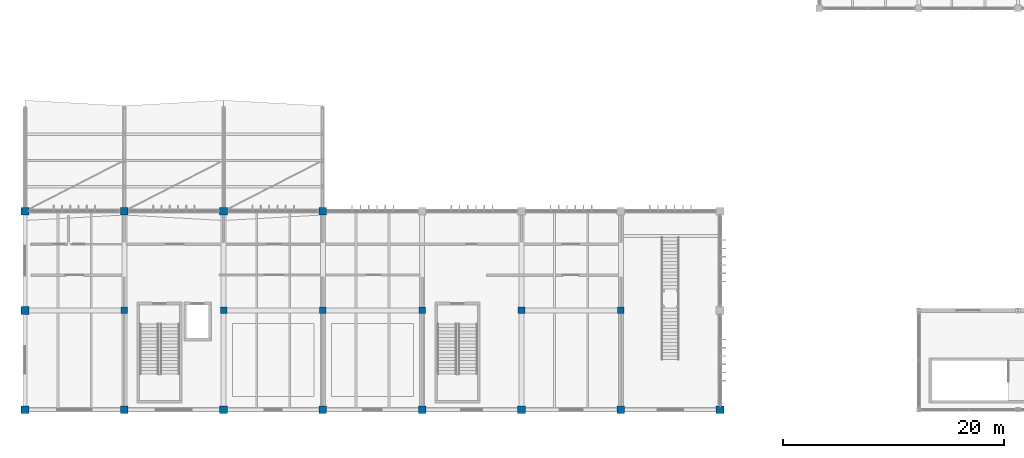
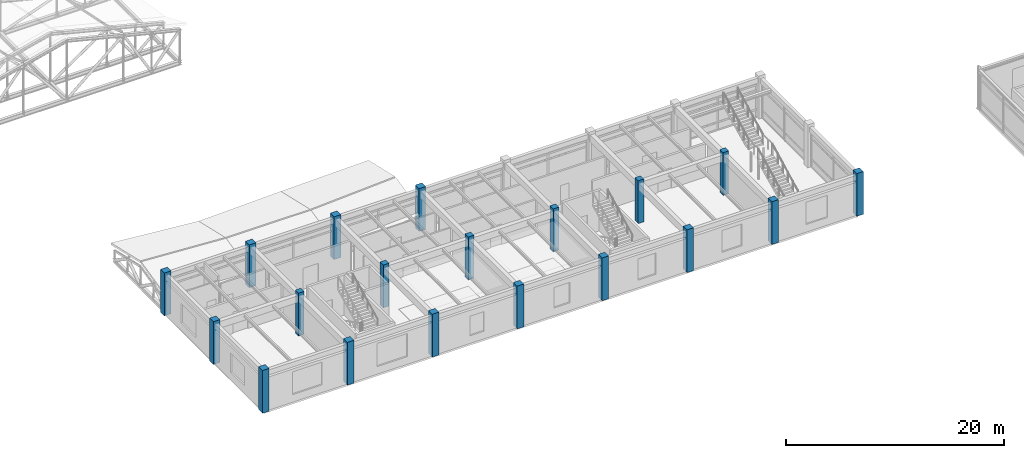
# One storey, part 1 of 61: 19 columns.
"""IFC4 building model written with IfcOpenShell, lengths in metres."""

from ifc_helpers import new_model, si_unit, direction, frame, origin, origin_2d, place, context, subcontext, project, spatial, rectangle, extrude, material, material_profile, profile_set, type_object, element, save


model = new_model("IFC4")

# Units and contexts
model_context = context("Model", 3, precision=1e-05, world=origin(), true_north=direction((0.0, 1.0)))
body_context = subcontext(model_context, "Body", "Model", "MODEL_VIEW")
ifc_project = project(units=[si_unit("LENGTHUNIT", "METRE"), si_unit("AREAUNIT", "SQUARE_METRE"), si_unit("VOLUMEUNIT", "CUBIC_METRE"), si_unit("PLANEANGLEUNIT", "RADIAN"), si_unit("MASSUNIT", "GRAM", prefix="KILO")], contexts=[model_context])

# Site, building, storey
site_placement = place(None, origin())
site = spatial("IfcSite", under=ifc_project, at=site_placement, CompositionType="ELEMENT")
building_placement = place(site_placement, origin())
building = spatial("IfcBuilding", under=site, at=building_placement, Name="Bozkorgan Art Gallery", CompositionType="ELEMENT")
storey_placement = place(building_placement, frame((0.0, 0.0, 10.199951171875)))
storey = spatial("IfcBuildingStorey", under=building, at=storey_placement, Name="L02", CompositionType="ELEMENT", Elevation=10.199951171875)

# Columns
ifc_material = material(Name="Concrete C40/50", Category="concrete")
ifc_material_profile_1 = material_profile(ifc_material, rectangle(XDim=0.60009765625, YDim=0.60009765625, at=origin_2d()), Name="RC 600x600")
ifc_profile_set_1 = profile_set([ifc_material_profile_1], Name="Concrete C40/50")
column_type_1 = type_object("IfcColumnType", Name="COLUMN-C-57", PredefinedType="COLUMN", material=ifc_profile_set_1)
for number, where, z_axis, x_axis, name in (
    (1, (11.0, 11.0, 0.0), (0.0, 0.0, 1.0), (1.0, 0.0, 0.0), "V1 L02 column (11.0, 11.0)"),
    (2, (20.0, 11.0, 0.0), (0.0, 0.0, 1.0), (1.0, 0.0, 0.0), "V1 L02 column (20.0, 11.0)"),
    (3, (29.0, 11.0, 0.0), (0.0, 0.0, 1.0), (1.0, 0.0, 0.0), "V1 L02 column (29.0, 11.0)"),
    (4, (38.0, 11.0, 0.0), (0.0, 0.0, 1.0), (1.0, 0.0, 0.0), "V1 L02 column (38.0, 11.0)"),
    (5, (47.0, 11.0, 0.0), (0.0, 0.0, 1.0), (1.0, 0.0, 0.0), "V1 L02 column (47.0, 11.0)"),
    (6, (56.0, 11.0, 0.0), (0.0, 0.0, 1.0), (1.0, 0.0, 0.0), "V1 L02 column (56.0, 11.0)"),
):
    element("IfcColumn", number, at=place(storey_placement, frame(where, z_axis=z_axis, x_axis=x_axis)), inside=storey, type_object=column_type_1, Name=name, PredefinedType="COLUMN", context=body_context, shape_type="SweptSolid", body=[
        extrude(rectangle(XDim=0.60009765625, YDim=0.60009765625, at=origin_2d()), origin(), (0.0, 0.0, 1.0), 4.800048828125),
    ])
ifc_material_profile_2 = material_profile(ifc_material, rectangle(XDim=0.699951171875, YDim=0.699951171875, at=origin_2d()), Name="RC 700x700")
ifc_profile_set_2 = profile_set([ifc_material_profile_2], Name="Concrete C40/50")
column_type_2 = type_object("IfcColumnType", Name="COLUMN-C-73", PredefinedType="COLUMN", material=ifc_profile_set_2)
for number, where, z_axis, x_axis, name in (
    (7, (2.0, 2.0, 0.0), (0.0, 0.0, 1.0), (1.0, 0.0, 0.0), "V1 L02 column (2.0, 2.0)"),
    (8, (2.0, 11.0, 0.0), (0.0, 0.0, 1.0), (1.0, 0.0, 0.0), "V1 L02 column (2.0, 11.0)"),
    (9, (2.0, 20.0, 0.0), (0.0, 0.0, 1.0), (1.0, 0.0, 0.0), "V1 L02 column (2.0, 20.0)"),
    (10, (11.0, 2.0, 0.0), (0.0, 0.0, 1.0), (1.0, 0.0, 0.0), "V1 L02 column (11.0, 2.0)"),
    (11, (11.0, 20.0, 0.0), (0.0, 0.0, 1.0), (1.0, 0.0, 0.0), "V1 L02 column (11.0, 20.0)"),
    (12, (20.0, 2.0, 0.0), (0.0, 0.0, 1.0), (1.0, 0.0, 0.0), "V1 L02 column (20.0, 2.0)"),
    (13, (20.0, 20.0, 0.0), (0.0, 0.0, 1.0), (1.0, 0.0, 0.0), "V1 L02 column (20.0, 20.0)"),
    (14, (29.0, 2.0, 0.0), (0.0, 0.0, 1.0), (1.0, 0.0, 0.0), "V1 L02 column (29.0, 2.0)"),
    (15, (29.0, 20.0, 0.0), (0.0, 0.0, 1.0), (1.0, 0.0, 0.0), "V1 L02 column (29.0, 20.0)"),
    (16, (38.0, 2.0, 0.0), (0.0, 0.0, 1.0), (1.0, 0.0, 0.0), "V1 L02 column (38.0, 2.0)"),
    (17, (47.0, 2.0, 0.0), (0.0, 0.0, 1.0), (1.0, 0.0, 0.0), "V1 L02 column (47.0, 2.0)"),
    (18, (56.0, 2.0, 0.0), (0.0, 0.0, 1.0), (1.0, 0.0, 0.0), "V1 L02 column (56.0, 2.0)"),
    (19, (65.0, 2.0, 0.0), (0.0, 0.0, 1.0), (1.0, 0.0, 0.0), "V1 L02 column (65.0, 2.0)"),
):
    element("IfcColumn", number, at=place(storey_placement, frame(where, z_axis=z_axis, x_axis=x_axis)), inside=storey, type_object=column_type_2, Name=name, PredefinedType="COLUMN", context=body_context, shape_type="SweptSolid", body=[
        extrude(rectangle(XDim=0.699951171875, YDim=0.699951171875, at=origin_2d()), origin(), (0.0, 0.0, 1.0), 4.800048828125),
    ])

save(model, "model.ifc")
